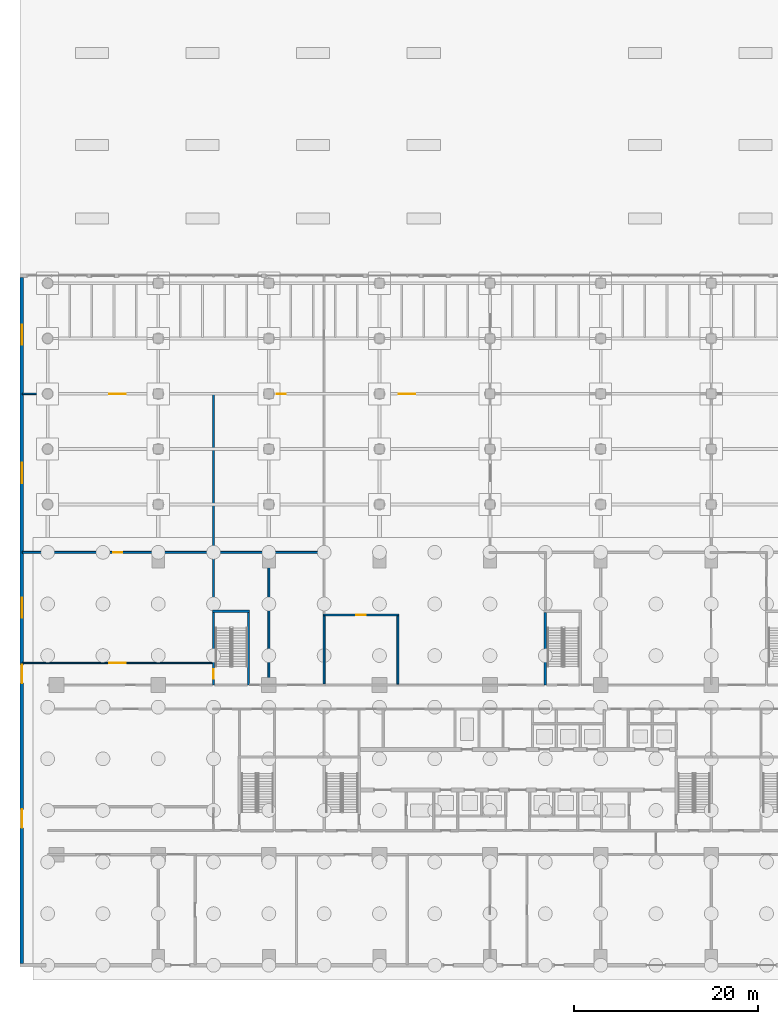
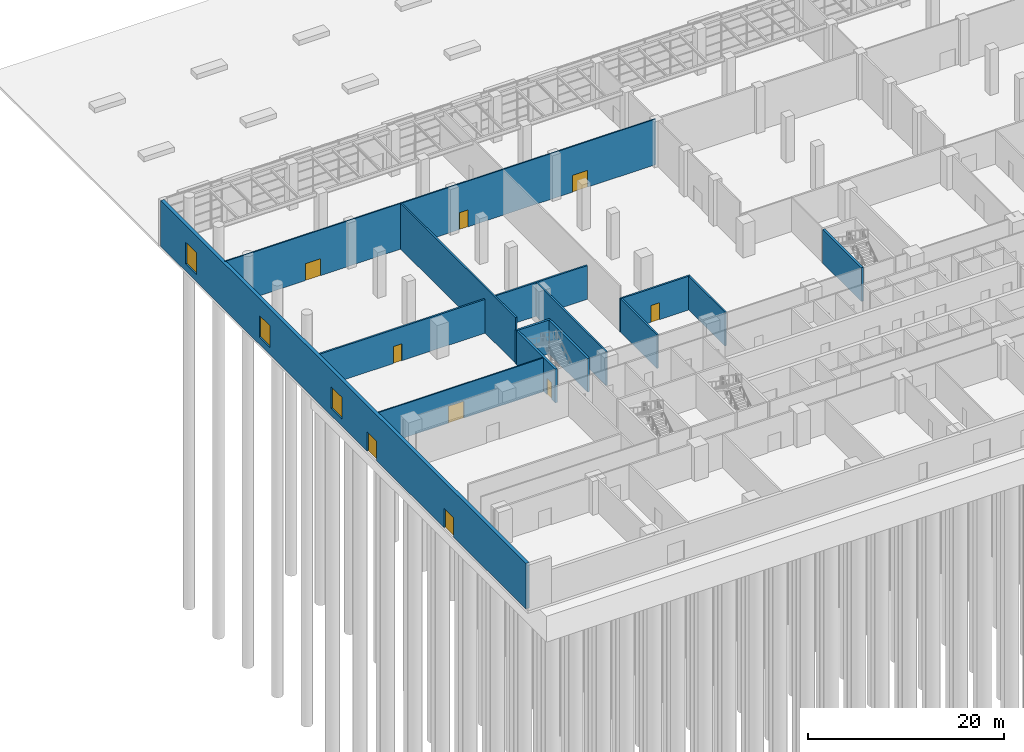
# One storey, part 18 of 27: 13 walls, 9 doors, 3 windows, 12 openings.
"""IFC4 building model written with IfcOpenShell, lengths in metres."""

from ifc_helpers import new_model, si_unit, direction, frame, frame_2d, origin, place, context, subcontext, project, spatial, rectangle, extrude, material, layer, layer_set, type_object, element, fill, save


model = new_model("IFC4")

# Units and contexts
model_context = context("Model", 3, precision=1e-05, world=origin(), true_north=direction((0.0, 1.0)))
body_context = subcontext(model_context, "Body", "Model", "MODEL_VIEW")
ifc_project = project(units=[si_unit("LENGTHUNIT", "METRE"), si_unit("AREAUNIT", "SQUARE_METRE"), si_unit("VOLUMEUNIT", "CUBIC_METRE"), si_unit("PLANEANGLEUNIT", "RADIAN"), si_unit("MASSUNIT", "GRAM", prefix="KILO")], contexts=[model_context])

# Site, building, storey
site_placement = place(None, origin())
site = spatial("IfcSite", under=ifc_project, at=site_placement, CompositionType="ELEMENT")
building_placement = place(site_placement, origin())
building = spatial("IfcBuilding", under=site, at=building_placement, Name="Poui Terraces", CompositionType="ELEMENT")
storey_placement = place(building_placement, origin())
storey = spatial("IfcBuildingStorey", under=building, at=storey_placement, Name="L00", CompositionType="ELEMENT", Elevation=0.0)

# Wall, opening, door
ifc_material_1 = material(Name="Fire-rated masonry wall", Category="masonry")
ifc_layer_1 = layer(ifc_material_1, 0.199951171875)
ifc_layer_set_1 = layer_set([ifc_layer_1], Name="Fire-rated masonry wall")
wall_type_1 = type_object("IfcWallType", Name="COMPARTMENT WALL 200", PredefinedType="PARTITIONING", material=ifc_layer_set_1)
wall_1_placement = place(storey_placement, frame((-2.739990234375, 44.800048828125, 0.0), z_axis=(0.0, 0.0, 1.0), x_axis=(1.0, 0.0, 0.0)))
wall_1 = element("IfcWall", 1, at=wall_1_placement, inside=storey, type_object=wall_type_1, Name="COMPARTMENT WALL 200", PredefinedType="PARTITIONING", context=body_context, shape_type="SweptSolid", body=[
    extrude(rectangle(XDim=32.6650390625, YDim=0.199951171875, at=frame_2d((16.33251953125, 0.0))), origin(), (0.0, 0.0, 1.0), 4.199951171875),
])
opening_1_placement = place(wall_1_placement, frame((9.840087890625, 0.0, 0.0)))
opening_1 = element("IfcOpeningElement", 2, at=opening_1_placement, cuts=wall_1, Name="Opening D100", PredefinedType="OPENING", context=body_context, shape_type="SweptSolid", body=[
    extrude(rectangle(XDim=1.0, YDim=2.10009765625, at=frame_2d((0.5, 1.050048828125))), frame((0.0, 0.10986328125, 0.0), z_axis=(0.0, -1.0, 0.0), x_axis=(1.0, 0.0, 0.0)), (0.0, 0.0, 1.0), 0.219970703125),
])
ifc_material_2 = material(Name="Solid core timber door", Category="wood")
door_type_1 = type_object("IfcDoorType", Name="ACCESSIBLE INTERNAL DOOR 1000 X 2100", OperationType="NOTDEFINED", PredefinedType="DOOR", material=ifc_material_2)
door_1_placement = place(opening_1_placement, origin())
door_1 = element("IfcDoor", 3, at=door_1_placement, inside=storey, type_object=door_type_1, Name="ACCESSIBLE INTERNAL DOOR 070", OperationType="SINGLE_SWING_RIGHT", OverallHeight=2.10009765625, OverallWidth=1.0, PredefinedType="DOOR", context=body_context, shape_type="SweptSolid", body=[
    extrude(rectangle(XDim=1.0, YDim=2.10009765625, at=frame_2d((0.5, 1.050048828125))), frame((0.0, 0.02490234375, 0.0), z_axis=(0.0, -1.0, 0.0), x_axis=(1.0, 0.0, 0.0)), (0.0, 0.0, 1.0), 0.050048828125),
])
fill(opening_1, door_1)

# Walls
wall_2_placement = place(storey_placement, frame((24.0, 30.47509765625, 0.0), z_axis=(0.0, 0.0, 1.0), x_axis=(0.0, 1.0, 0.0)))
element("IfcWall", 4, at=wall_2_placement, inside=storey, type_object=wall_type_1, Name="COMPARTMENT WALL 200", PredefinedType="PARTITIONING", context=body_context, shape_type="SweptSolid", body=[
    extrude(rectangle(XDim=14.224853515625, YDim=0.199951171875, at=frame_2d((7.1123046875, 0.0))), origin(), (0.0, 0.0, 1.0), 4.199951171875),
])
ifc_layer_2 = layer(ifc_material_1, 0.199951171875)
ifc_layer_set_2 = layer_set([ifc_layer_2], Name="Fire-rated masonry wall")
wall_type_2 = type_object("IfcWallType", Name="COMPARTMENT WALL 200 5680 HIGH", PredefinedType="PARTITIONING", material=ifc_layer_set_2)
wall_3_placement = place(storey_placement, frame((18.0, 38.534912109375, 0.0), z_axis=(0.0, 0.0, 1.0), x_axis=(0.0, 1.0, 0.0)))
element("IfcWall", 5, at=wall_3_placement, inside=storey, type_object=wall_type_2, Name="COMPARTMENT WALL 200", PredefinedType="PARTITIONING", context=body_context, shape_type="SweptSolid", body=[
    extrude(rectangle(XDim=23.39013671875, YDim=0.199951171875, at=frame_2d((11.695068359375, 0.0))), origin(), (0.0, 0.0, 1.0), 5.679931640625),
])

# Wall, opening, door
ifc_material_3 = material(Name="Fire-rated plasterboard wall")
ifc_layer_3 = layer(ifc_material_3, 0.14990234375)
ifc_layer_set_3 = layer_set([ifc_layer_3], Name="Fire-rated plasterboard wall")
wall_type_3 = type_object("IfcWallType", Name="CORRIDOR WALL 150", PredefinedType="PARTITIONING", material=ifc_layer_set_3)
wall_4_placement = place(storey_placement, frame((-2.739990234375, 32.800048828125, 0.0), z_axis=(0.0, 0.0, 1.0), x_axis=(1.0, 0.0, 0.0)))
wall_4 = element("IfcWall", 6, at=wall_4_placement, inside=storey, type_object=wall_type_3, Name="CORRIDOR WALL 150", PredefinedType="PARTITIONING", context=body_context, shape_type="SweptSolid", body=[
    extrude(rectangle(XDim=20.60498046875, YDim=0.14990234375, at=frame_2d((10.302490234375, 0.0))), origin(), (0.0, 0.0, 1.0), 4.199951171875),
])
opening_2_placement = place(wall_4_placement, frame((9.43994140625, 0.0, 0.0)))
opening_2 = element("IfcOpeningElement", 7, at=opening_2_placement, cuts=wall_4, Name="Opening DD180", PredefinedType="OPENING", context=body_context, shape_type="SweptSolid", body=[
    extrude(rectangle(XDim=1.800048828125, YDim=2.10009765625, at=frame_2d((0.89990234375, 1.050048828125))), frame((0.0, 0.0849609375, 0.0), z_axis=(0.0, -1.0, 0.0), x_axis=(1.0, 0.0, 0.0)), (0.0, 0.0, 1.0), 0.169921875),
])
ifc_material_4 = material(Name="Steel fire door", Category="steel")
door_type_2 = type_object("IfcDoorType", Name="DOUBLE INTERNAL DOOR 1800 X 2100", OperationType="DOUBLE_DOOR_SINGLE_SWING", PredefinedType="DOOR", material=ifc_material_4)
door_2_placement = place(opening_2_placement, frame((1.800048828125, 0.0, 0.0), z_axis=(0.0, 0.0, 1.0), x_axis=(-1.0, 0.0, 0.0)))
door_2 = element("IfcDoor", 8, at=door_2_placement, inside=storey, type_object=door_type_2, Name="DOUBLE INTERNAL DOOR 079", OperationType="DOUBLE_DOOR_SINGLE_SWING", OverallHeight=2.10009765625, OverallWidth=1.800048828125, PredefinedType="DOOR", context=body_context, shape_type="SweptSolid", body=[
    extrude(rectangle(XDim=1.800048828125, YDim=2.10009765625, at=frame_2d((0.89990234375, 1.050048828125))), frame((0.0, 0.02490234375, 0.0), z_axis=(0.0, -1.0, 0.0), x_axis=(1.0, 0.0, 0.0)), (0.0, 0.0, 1.0), 0.050048828125),
])
fill(opening_2, door_2)

# Wall, openings, doors
ifc_layer_4 = layer(ifc_material_3, 0.14990234375)
ifc_layer_set_4 = layer_set([ifc_layer_4], Name="Fire-rated plasterboard wall")
wall_type_4 = type_object("IfcWallType", Name="CORRIDOR WALL 150 5680 HIGH", PredefinedType="PARTITIONING", material=ifc_layer_set_4)
wall_5_placement = place(storey_placement, frame((-2.739990234375, 62.0, 0.0), z_axis=(0.0, 0.0, 1.0), x_axis=(1.0, 0.0, 0.0)))
wall_5 = element("IfcWall", 9, at=wall_5_placement, inside=storey, type_object=wall_type_4, Name="CORRIDOR WALL 150", PredefinedType="PARTITIONING", context=body_context, shape_type="SweptSolid", body=[
    extrude(rectangle(XDim=50.6650390625, YDim=0.14990234375, at=frame_2d((25.33251953125, 0.0))), origin(), (0.0, 0.0, 1.0), 5.679931640625),
])
opening_3_placement = place(wall_5_placement, frame((9.43994140625, 0.0, 0.0)))
opening_3 = element("IfcOpeningElement", 10, at=opening_3_placement, cuts=wall_5, Name="Opening DD180", PredefinedType="OPENING", context=body_context, shape_type="SweptSolid", body=[
    extrude(rectangle(XDim=1.800048828125, YDim=2.10009765625, at=frame_2d((0.89990234375, 1.050048828125))), frame((0.0, 0.0849609375, 0.0), z_axis=(0.0, -1.0, 0.0), x_axis=(1.0, 0.0, 0.0)), (0.0, 0.0, 1.0), 0.169921875),
])
opening_4_placement = place(wall_5_placement, frame((27.590087890625, 0.0, 0.0)))
opening_4 = element("IfcOpeningElement", 11, at=opening_4_placement, cuts=wall_5, Name="Opening D100", PredefinedType="OPENING", context=body_context, shape_type="SweptSolid", body=[
    extrude(rectangle(XDim=1.0, YDim=2.10009765625, at=frame_2d((0.5, 1.050048828125))), frame((0.0, 0.0849609375, 0.0), z_axis=(0.0, -1.0, 0.0), x_axis=(1.0, 0.0, 0.0)), (0.0, 0.0, 1.0), 0.169921875),
])
opening_5_placement = place(wall_5_placement, frame((40.840087890625, 0.0, 0.0)))
opening_5 = element("IfcOpeningElement", 12, at=opening_5_placement, cuts=wall_5, Name="Opening DD180", PredefinedType="OPENING", context=body_context, shape_type="SweptSolid", body=[
    extrude(rectangle(XDim=1.800048828125, YDim=2.10009765625, at=frame_2d((0.89990234375, 1.050048828125))), frame((0.0, 0.0849609375, 0.0), z_axis=(0.0, -1.0, 0.0), x_axis=(1.0, 0.0, 0.0)), (0.0, 0.0, 1.0), 0.169921875),
])
door_3_placement = place(opening_4_placement, origin())
door_3 = element("IfcDoor", 13, at=door_3_placement, inside=storey, type_object=door_type_1, Name="ACCESSIBLE INTERNAL DOOR 069", OperationType="SINGLE_SWING_LEFT", OverallHeight=2.10009765625, OverallWidth=1.0, PredefinedType="DOOR", context=body_context, shape_type="SweptSolid", body=[
    extrude(rectangle(XDim=1.0, YDim=2.10009765625, at=frame_2d((0.5, 1.050048828125))), frame((0.0, 0.02490234375, 0.0), z_axis=(0.0, -1.0, 0.0), x_axis=(1.0, 0.0, 0.0)), (0.0, 0.0, 1.0), 0.050048828125),
])
fill(opening_4, door_3)
door_4_placement = place(opening_3_placement, origin())
door_4 = element("IfcDoor", 14, at=door_4_placement, inside=storey, type_object=door_type_2, Name="DOUBLE INTERNAL DOOR 067", OperationType="DOUBLE_DOOR_SINGLE_SWING", OverallHeight=2.10009765625, OverallWidth=1.800048828125, PredefinedType="DOOR", context=body_context, shape_type="SweptSolid", body=[
    extrude(rectangle(XDim=1.800048828125, YDim=2.10009765625, at=frame_2d((0.89990234375, 1.050048828125))), frame((0.0, 0.02490234375, 0.0), z_axis=(0.0, -1.0, 0.0), x_axis=(1.0, 0.0, 0.0)), (0.0, 0.0, 1.0), 0.050048828125),
])
fill(opening_3, door_4)
door_5_placement = place(opening_5_placement, origin())
door_5 = element("IfcDoor", 15, at=door_5_placement, inside=storey, type_object=door_type_2, Name="DOUBLE INTERNAL DOOR 085", OperationType="DOUBLE_DOOR_SINGLE_SWING", OverallHeight=2.10009765625, OverallWidth=1.800048828125, PredefinedType="DOOR", context=body_context, shape_type="SweptSolid", body=[
    extrude(rectangle(XDim=1.800048828125, YDim=2.10009765625, at=frame_2d((0.89990234375, 1.050048828125))), frame((0.0, 0.02490234375, 0.0), z_axis=(0.0, -1.0, 0.0), x_axis=(1.0, 0.0, 0.0)), (0.0, 0.0, 1.0), 0.050048828125),
])
fill(opening_5, door_5)

# Wall, openings, doors, windows
ifc_material_5 = material(Name="Precast concrete 40 MPa", Category="concrete")
ifc_layer_5 = layer(ifc_material_5, 0.39990234375)
ifc_layer_set_5 = layer_set([ifc_layer_5], Name="Precast concrete 40 MPa")
wall_type_5 = type_object("IfcWallType", Name="EXTERNAL WALL 400", PredefinedType="STANDARD", material=ifc_layer_set_5)
wall_6_placement = place(storey_placement, frame((-2.800048828125, 74.60009765625, 0.0), z_axis=(0.0, 0.0, 1.0), x_axis=(0.0, -1.0, 0.0)))
wall_6 = element("IfcWall", 16, at=wall_6_placement, inside=storey, type_object=wall_type_5, Name="EXTERNAL WALL W", PredefinedType="STANDARD", context=body_context, shape_type="SweptSolid", body=[
    extrude(rectangle(XDim=74.400146484375, YDim=0.39990234375, at=frame_2d((37.2001953125, 0.0))), origin(), (0.0, 0.0, 1.0), 5.679931640625),
])
opening_6_placement = place(wall_6_placement, frame((5.10009765625, 0.0, 0.89990234375)))
opening_6 = element("IfcOpeningElement", 17, at=opening_6_placement, cuts=wall_6, Name="Opening W4", PredefinedType="OPENING", context=body_context, shape_type="SweptSolid", body=[
    extrude(rectangle(XDim=2.199951171875, YDim=2.699951171875, at=frame_2d((1.10009765625, 1.35009765625))), frame((0.0, 0.2099609375, 0.0), z_axis=(0.0, -1.0, 0.0), x_axis=(1.0, 0.0, 0.0)), (0.0, 0.0, 1.0), 0.419921875),
])
opening_7_placement = place(wall_6_placement, frame((34.699951171875, 0.0, 0.89990234375)))
opening_7 = element("IfcOpeningElement", 18, at=opening_7_placement, cuts=wall_6, Name="Opening W4", PredefinedType="OPENING", context=body_context, shape_type="SweptSolid", body=[
    extrude(rectangle(XDim=2.199951171875, YDim=2.699951171875, at=frame_2d((1.10009765625, 1.35009765625))), frame((0.0, 0.2099609375, 0.0), z_axis=(0.0, -1.0, 0.0), x_axis=(1.0, 0.0, 0.0)), (0.0, 0.0, 1.0), 0.419921875),
])
opening_8_placement = place(wall_6_placement, frame((20.10009765625, 0.0, 0.89990234375)))
opening_8 = element("IfcOpeningElement", 19, at=opening_8_placement, cuts=wall_6, Name="Opening W4", PredefinedType="OPENING", context=body_context, shape_type="SweptSolid", body=[
    extrude(rectangle(XDim=2.199951171875, YDim=2.699951171875, at=frame_2d((1.10009765625, 1.35009765625))), frame((0.0, 0.2099609375, 0.0), z_axis=(0.0, -1.0, 0.0), x_axis=(1.0, 0.0, 0.0)), (0.0, 0.0, 1.0), 0.419921875),
])
opening_9_placement = place(wall_6_placement, frame((42.0, 0.0, 0.0)))
opening_9 = element("IfcOpeningElement", 20, at=opening_9_placement, cuts=wall_6, Name="Opening XDD200", PredefinedType="OPENING", context=body_context, shape_type="SweptSolid", body=[
    extrude(rectangle(XDim=2.0, YDim=2.39990234375, at=frame_2d((1.0, 1.199951171875))), frame((0.0, 0.2099609375, 0.0), z_axis=(0.0, -1.0, 0.0), x_axis=(1.0, 0.0, 0.0)), (0.0, 0.0, 1.0), 0.419921875),
])
opening_10_placement = place(wall_6_placement, frame((57.699951171875, 0.0, 0.0)))
opening_10 = element("IfcOpeningElement", 21, at=opening_10_placement, cuts=wall_6, Name="Opening XDD200", PredefinedType="OPENING", context=body_context, shape_type="SweptSolid", body=[
    extrude(rectangle(XDim=2.0, YDim=2.39990234375, at=frame_2d((1.0, 1.199951171875))), frame((0.0, 0.2099609375, 0.0), z_axis=(0.0, -1.0, 0.0), x_axis=(1.0, 0.0, 0.0)), (0.0, 0.0, 1.0), 0.419921875),
])
ifc_material_6 = material(Name="Aluminium glazed door", Category="aluminium")
door_type_3 = type_object("IfcDoorType", Name="EXTERNAL DOUBLE DOOR 2000 X 2400", OperationType="DOUBLE_DOOR_SINGLE_SWING", PredefinedType="DOOR", material=ifc_material_6)
door_6_placement = place(opening_9_placement, frame((2.0, 0.0, 0.0), z_axis=(0.0, 0.0, 1.0), x_axis=(-1.0, 0.0, 0.0)))
door_6 = element("IfcDoor", 22, at=door_6_placement, inside=storey, type_object=door_type_3, Name="EXTERNAL DOUBLE DOOR 078", OperationType="DOUBLE_DOOR_SINGLE_SWING", OverallHeight=2.39990234375, OverallWidth=2.0, PredefinedType="DOOR", context=body_context, shape_type="SweptSolid", body=[
    extrude(rectangle(XDim=2.0, YDim=2.39990234375, at=frame_2d((1.0, 1.199951171875))), frame((0.0, 0.02490234375, 0.0), z_axis=(0.0, -1.0, 0.0), x_axis=(1.0, 0.0, 0.0)), (0.0, 0.0, 1.0), 0.050048828125),
])
fill(opening_9, door_6)
door_7_placement = place(opening_10_placement, frame((2.0, 0.0, 0.0), z_axis=(0.0, 0.0, 1.0), x_axis=(-1.0, 0.0, 0.0)))
door_7 = element("IfcDoor", 23, at=door_7_placement, inside=storey, type_object=door_type_3, Name="EXTERNAL DOUBLE DOOR 082", OperationType="DOUBLE_DOOR_SINGLE_SWING", OverallHeight=2.39990234375, OverallWidth=2.0, PredefinedType="DOOR", context=body_context, shape_type="SweptSolid", body=[
    extrude(rectangle(XDim=2.0, YDim=2.39990234375, at=frame_2d((1.0, 1.199951171875))), frame((0.0, 0.02490234375, 0.0), z_axis=(0.0, -1.0, 0.0), x_axis=(1.0, 0.0, 0.0)), (0.0, 0.0, 1.0), 0.050048828125),
])
fill(opening_10, door_7)
ifc_material_7 = material(Name="Clear glass in aluminium frame", Category="aluminium")
window_type = type_object("IfcWindowType", Name="WINDOW 2200X2700", PartitioningType="DOUBLE_PANEL_HORIZONTAL", PredefinedType="WINDOW", material=ifc_material_7)
window_1_placement = place(opening_6_placement, origin())
window_1 = element("IfcWindow", 24, at=window_1_placement, inside=storey, type_object=window_type, Name="W4 WINDOW", OverallHeight=2.699951171875, OverallWidth=2.199951171875, PartitioningType="DOUBLE_PANEL_HORIZONTAL", PredefinedType="WINDOW", context=body_context, shape_type="SweptSolid", body=[
    extrude(rectangle(XDim=2.199951171875, YDim=2.699951171875, at=frame_2d((1.10009765625, 1.35009765625))), frame((0.0, 0.030029296875, 0.0), z_axis=(0.0, -1.0, 0.0), x_axis=(1.0, 0.0, 0.0)), (0.0, 0.0, 1.0), 0.06005859375),
])
fill(opening_6, window_1)
window_2_placement = place(opening_7_placement, origin())
window_2 = element("IfcWindow", 25, at=window_2_placement, inside=storey, type_object=window_type, Name="W4 WINDOW", OverallHeight=2.699951171875, OverallWidth=2.199951171875, PartitioningType="DOUBLE_PANEL_HORIZONTAL", PredefinedType="WINDOW", context=body_context, shape_type="SweptSolid", body=[
    extrude(rectangle(XDim=2.199951171875, YDim=2.699951171875, at=frame_2d((1.10009765625, 1.35009765625))), frame((0.0, 0.030029296875, 0.0), z_axis=(0.0, -1.0, 0.0), x_axis=(1.0, 0.0, 0.0)), (0.0, 0.0, 1.0), 0.06005859375),
])
fill(opening_7, window_2)
window_3_placement = place(opening_8_placement, origin())
window_3 = element("IfcWindow", 26, at=window_3_placement, inside=storey, type_object=window_type, Name="W4 WINDOW", OverallHeight=2.699951171875, OverallWidth=2.199951171875, PartitioningType="DOUBLE_PANEL_HORIZONTAL", PredefinedType="WINDOW", context=body_context, shape_type="SweptSolid", body=[
    extrude(rectangle(XDim=2.199951171875, YDim=2.699951171875, at=frame_2d((1.10009765625, 1.35009765625))), frame((0.0, 0.030029296875, 0.0), z_axis=(0.0, -1.0, 0.0), x_axis=(1.0, 0.0, 0.0)), (0.0, 0.0, 1.0), 0.06005859375),
])
fill(opening_8, window_3)

# Wall, opening, door
ifc_material_8 = material(Name="Concrete 65 MPa", Category="concrete")
ifc_layer_6 = layer(ifc_material_8, 0.199951171875)
ifc_layer_set_6 = layer_set([ifc_layer_6], Name="Concrete 65 MPa")
wall_type_6 = type_object("IfcWallType", Name="FIRE CONTROL ROOM WALL 200", PredefinedType="SOLIDWALL", material=ifc_layer_set_6)
wall_7_placement = place(storey_placement, frame((29.89990234375, 38.0, 0.0), z_axis=(0.0, 0.0, 1.0), x_axis=(1.0, 0.0, 0.0)))
wall_7 = element("IfcWall", 27, at=wall_7_placement, inside=storey, type_object=wall_type_6, Name="FIRE CONTROL ROOM WALL 200", PredefinedType="SOLIDWALL", context=body_context, shape_type="SweptSolid", body=[
    extrude(rectangle(XDim=8.2001953125, YDim=0.199951171875, at=frame_2d((4.10009765625, 0.0))), origin(), (0.0, 0.0, 1.0), 4.199951171875),
])
opening_11_placement = place(wall_7_placement, frame((3.60009765625, 0.0, 0.0)))
opening_11 = element("IfcOpeningElement", 28, at=opening_11_placement, cuts=wall_7, Name="Opening FDF", PredefinedType="OPENING", context=body_context, shape_type="SweptSolid", body=[
    extrude(rectangle(XDim=1.0, YDim=2.10009765625, at=frame_2d((0.5, 1.050048828125))), frame((0.0, 0.10986328125, 0.0), z_axis=(0.0, -1.0, 0.0), x_axis=(1.0, 0.0, 0.0)), (0.0, 0.0, 1.0), 0.219970703125),
])
door_type_4 = type_object("IfcDoorType", Name="FIRE CONTROL ROOM DOOR 1000 X 2100", OperationType="NOTDEFINED", PredefinedType="DOOR", material=ifc_material_4)
door_8_placement = place(opening_11_placement, origin())
door_8 = element("IfcDoor", 29, at=door_8_placement, inside=storey, type_object=door_type_4, Name="FIRE CONTROL ROOM DOOR 088", OperationType="SINGLE_SWING_RIGHT", OverallHeight=2.10009765625, OverallWidth=1.0, PredefinedType="DOOR", context=body_context, shape_type="SweptSolid", body=[
    extrude(rectangle(XDim=1.0, YDim=2.10009765625, at=frame_2d((0.5, 1.050048828125))), frame((0.0, 0.02490234375, 0.0), z_axis=(0.0, -1.0, 0.0), x_axis=(1.0, 0.0, 0.0)), (0.0, 0.0, 1.0), 0.050048828125),
])
fill(opening_11, door_8)

# Walls
for number, where, z_axis, x_axis, name in (
    (30, (30.0, 30.5, 0.0), (0.0, 0.0, 1.0), (0.0, 1.0, 0.0), "FIRE CONTROL ROOM WALL 200"),
    (31, (38.0, 30.5, 0.0), (0.0, 0.0, 1.0), (0.0, 1.0, 0.0), "FIRE CONTROL ROOM WALL 200"),
):
    element("IfcWall", number, at=place(storey_placement, frame(where, z_axis=z_axis, x_axis=x_axis)), inside=storey, type_object=wall_type_6, Name=name, PredefinedType="SOLIDWALL", context=body_context, shape_type="SweptSolid", body=[
        extrude(rectangle(XDim=7.39990234375, YDim=0.199951171875, at=frame_2d((3.699951171875, 0.0))), origin(), (0.0, 0.0, 1.0), 4.199951171875),
    ])
ifc_material_9 = material(Name="Concrete 80 MPa", Category="concrete")
ifc_layer_7 = layer(ifc_material_9, 0.25)
ifc_layer_set_7 = layer_set([ifc_layer_7], Name="Concrete 80 MPa")
wall_type_7 = type_object("IfcWallType", Name="STAIR CORE WALL 250 80 MPA", PredefinedType="SOLIDWALL", material=ifc_layer_set_7)
wall_8_placement = place(storey_placement, frame((21.800048828125, 30.39990234375, 0.0), z_axis=(0.0, 0.0, 1.0), x_axis=(0.0, 1.0, 0.0)))
element("IfcWall", 32, at=wall_8_placement, inside=storey, type_object=wall_type_7, Name="STAIR CORE WALL", PredefinedType="SOLIDWALL", context=body_context, shape_type="SweptSolid", body=[
    extrude(rectangle(XDim=7.875, YDim=0.25, at=frame_2d((3.9375, 0.0))), origin(), (0.0, 0.0, 1.0), 4.199951171875),
])
wall_9_placement = place(storey_placement, frame((17.875, 38.39990234375, 0.0), z_axis=(0.0, 0.0, 1.0), x_axis=(1.0, 0.0, 0.0)))
element("IfcWall", 33, at=wall_9_placement, inside=storey, type_object=wall_type_7, Name="STAIR CORE WALL", PredefinedType="SOLIDWALL", context=body_context, shape_type="SweptSolid", body=[
    extrude(rectangle(XDim=4.050048828125, YDim=0.25, at=frame_2d((2.02490234375, 0.0))), origin(), (0.0, 0.0, 1.0), 4.199951171875),
])

# Wall, opening, door
wall_10_placement = place(storey_placement, frame((18.0, 30.39990234375, 0.0), z_axis=(0.0, 0.0, 1.0), x_axis=(0.0, 1.0, 0.0)))
wall_10 = element("IfcWall", 34, at=wall_10_placement, inside=storey, type_object=wall_type_7, Name="STAIR CORE WALL", PredefinedType="SOLIDWALL", context=body_context, shape_type="SweptSolid", body=[
    extrude(rectangle(XDim=7.875, YDim=0.25, at=frame_2d((3.9375, 0.0))), origin(), (0.0, 0.0, 1.0), 4.199951171875),
])
opening_12_placement = place(wall_10_placement, frame((0.699951171875, 0.0, 0.0)))
opening_12 = element("IfcOpeningElement", 35, at=opening_12_placement, cuts=wall_10, Name="Opening FD60S", PredefinedType="OPENING", context=body_context, shape_type="SweptSolid", body=[
    extrude(rectangle(XDim=1.0, YDim=2.10009765625, at=frame_2d((0.5, 1.050048828125))), frame((0.0, 0.135009765625, 0.0), z_axis=(0.0, -1.0, 0.0), x_axis=(1.0, 0.0, 0.0)), (0.0, 0.0, 1.0), 0.27001953125),
])
door_type_5 = type_object("IfcDoorType", Name="STAIR DOOR 1000 X 2100", OperationType="NOTDEFINED", PredefinedType="DOOR", material=ifc_material_4)
door_9_placement = place(opening_12_placement, origin())
door_9 = element("IfcDoor", 36, at=door_9_placement, inside=storey, type_object=door_type_5, Name="STAIR DOOR 075", OperationType="SINGLE_SWING_RIGHT", OverallHeight=2.10009765625, OverallWidth=1.0, PredefinedType="DOOR", context=body_context, shape_type="SweptSolid", body=[
    extrude(rectangle(XDim=1.0, YDim=2.10009765625, at=frame_2d((0.5, 1.050048828125))), frame((0.0, 0.02490234375, 0.0), z_axis=(0.0, -1.0, 0.0), x_axis=(1.0, 0.0, 0.0)), (0.0, 0.0, 1.0), 0.050048828125),
])
fill(opening_12, door_9)

# Wall
wall_11_placement = place(storey_placement, frame((54.0, 30.39990234375, 0.0), z_axis=(0.0, 0.0, 1.0), x_axis=(0.0, 1.0, 0.0)))
element("IfcWall", 37, at=wall_11_placement, inside=storey, type_object=wall_type_7, Name="STAIR CORE WALL", PredefinedType="SOLIDWALL", context=body_context, shape_type="SweptSolid", body=[
    extrude(rectangle(XDim=7.875, YDim=0.25, at=frame_2d((3.9375, 0.0))), origin(), (0.0, 0.0, 1.0), 4.199951171875),
])

save(model, "model.ifc")
